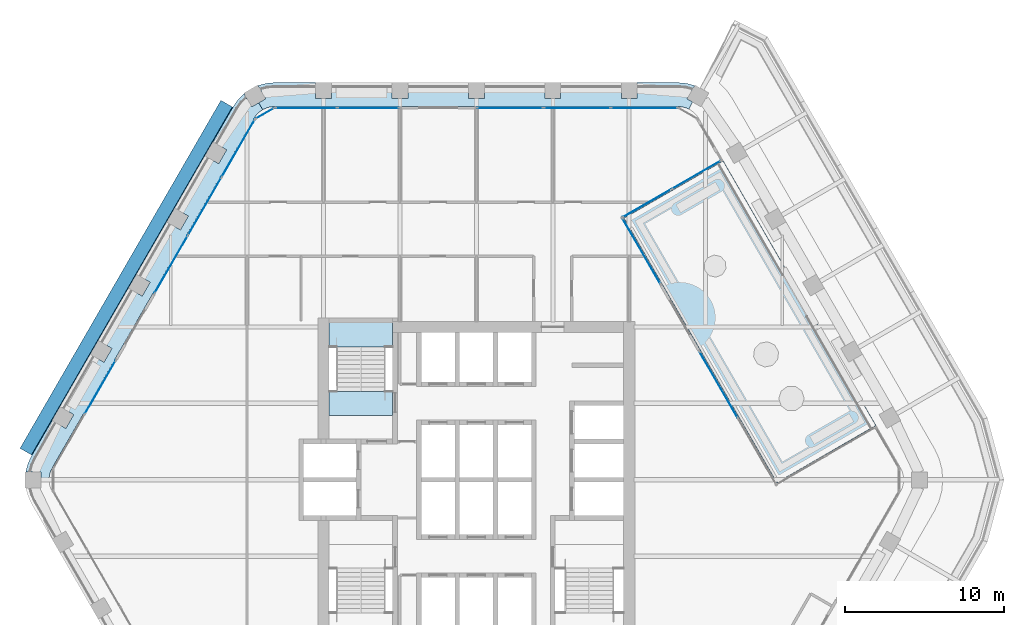
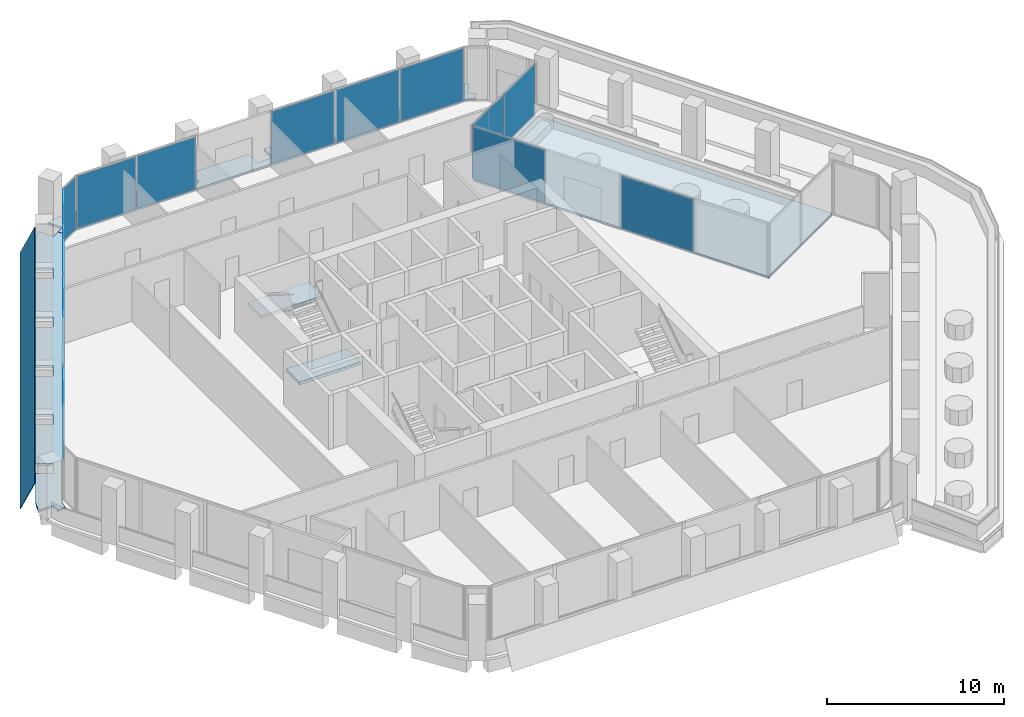
# One storey, part 9 of 17: 15 plates, 5 slabs, 9 elements without a shape of their own.
"""IFC4 building model written with IfcOpenShell, lengths in metres."""

import ifcopenshell
import ifcopenshell.guid

model = None  # the IFC model being written
_history = None  # IfcOwnerHistory: only IFC2X3 demands one
_inside = {}  # id of a spatial element -> (the spatial element, [elements in it])
_under = {}  # id of a project, library or spatial element -> (it, [spatial elements below it])
_declared = {}  # id of a project -> (the project, [libraries it declares])
_typed = {}  # id of a type object -> (the type object, [elements of that type])
_made_of = {}  # id of a material, layer set ... -> (it, [elements and type objects made of it])


def new_model(schema):
    """Start an empty IFC model of exactly this schema.

    Asked for "IFC4X3", IfcOpenShell would pick the latest addendum, in which some entities
    have other attributes; the version numbers below select the first issue.
    IFC2X3 requires an IfcOwnerHistory on every rooted entity: one is made here for all.
    """
    global model, _history
    if schema == "IFC4X3":
        model = ifcopenshell.file(schema_version=(4, 3, 0, 0))
    else:
        model = ifcopenshell.file(schema=schema)
    _inside.clear()
    _under.clear()
    _declared.clear()
    _typed.clear()
    _made_of.clear()
    _history = None
    if model.schema == "IFC2X3":
        org = make("IfcOrganization", Name="unknown")
        user = make(
            "IfcPersonAndOrganization",
            ThePerson=make("IfcPerson", FamilyName="unknown"),
            TheOrganization=org,
        )
        app = make(
            "IfcApplication",
            ApplicationDeveloper=org,
            Version="unknown",
            ApplicationFullName="unknown",
            ApplicationIdentifier="unknown",
        )
        _history = make(
            "IfcOwnerHistory",
            OwningUser=user,
            OwningApplication=app,
            ChangeAction="ADDED",
            CreationDate=0,
        )
    return model


def make(cls, **values):
    """One entity of the class cls with the attributes given. An attribute that is None is left unset."""
    return model.create_entity(
        cls, **{name: value for name, value in values.items() if value is not None}
    )


def rooted(cls, **values):
    """An entity with a GlobalId (a new one), such as an element, a storey or a relation."""
    return make(cls, GlobalId=ifcopenshell.guid.new(), OwnerHistory=_history, **values)


def si_unit(unit_type, name, prefix=None):
    """IfcSIUnit, for example si_unit("LENGTHUNIT", "METRE", prefix="MILLI")."""
    return make("IfcSIUnit", UnitType=unit_type, Prefix=prefix, Name=name)


def assignment(units):
    """IfcUnitAssignment: the units of a project."""
    return None if units is None else make("IfcUnitAssignment", Units=units)


def point(xyz):
    """IfcCartesianPoint."""
    return None if xyz is None else make("IfcCartesianPoint", Coordinates=xyz)


def direction(xyz):
    """IfcDirection."""
    return None if xyz is None else make("IfcDirection", DirectionRatios=xyz)


def frame(location, z_axis=None, x_axis=None):
    """IfcAxis2Placement3D, a coordinate frame: its origin and axes. An axis left out is left unset."""
    return make(
        "IfcAxis2Placement3D",
        Location=point(location),
        Axis=direction(z_axis),
        RefDirection=direction(x_axis),
    )


def frame_2d(location, x_axis=None):
    """IfcAxis2Placement2D, a coordinate frame in the plane: its origin and x axis."""
    return make(
        "IfcAxis2Placement2D", Location=point(location), RefDirection=direction(x_axis)
    )


def origin():
    """The frame at (0, 0, 0) with its axes left unset."""
    return frame((0.0, 0.0, 0.0))


def origin_2d():
    """The frame at (0, 0) in the plane with its x axis left unset."""
    return frame_2d((0.0, 0.0))


def place(relative_to, where):
    """IfcLocalPlacement: puts the frame where relative to a parent placement (None: the world)."""
    return make(
        "IfcLocalPlacement", PlacementRelTo=relative_to, RelativePlacement=where
    )


def context(
    kind, dimensions, precision=None, world=None, true_north=None, identifier=None
):
    """IfcGeometricRepresentationContext, for example the 3D "Model" context."""
    return make(
        "IfcGeometricRepresentationContext",
        ContextIdentifier=identifier,
        ContextType=kind,
        CoordinateSpaceDimension=dimensions,
        Precision=precision,
        WorldCoordinateSystem=world,
        TrueNorth=true_north,
    )


def subcontext(parent, identifier, kind, view, scale=None):
    """IfcGeometricRepresentationSubContext, for example "Body" below "Model"."""
    return make(
        "IfcGeometricRepresentationSubContext",
        ContextIdentifier=identifier,
        ContextType=kind,
        ParentContext=parent,
        TargetScale=scale,
        TargetView=view,
    )


def project(units=None, contexts=None):
    """IfcProject with its units and contexts."""
    return rooted(
        "IfcProject",
        Name="project",
        RepresentationContexts=contexts,
        UnitsInContext=assignment(units),
    )


def spatial(cls, under=None, at=None, **own):
    """A site, building, storey or space (cls), placed at a placement, below another one or the project."""
    s = rooted(cls, ObjectPlacement=at, **own)
    if under is not None:
        _under.setdefault(under.id(), (under, []))[1].append(s)
    return s


def polyline(points):
    """IfcPolyline through the points."""
    return make("IfcPolyline", Points=[point(p) for p in points])


def profile(cls, at=None, kind="AREA", **sizes):
    """A parametric profile (cls). Its sizes go by their IFC names, for example OverallWidth=200.0."""
    return make(cls, ProfileType=kind, Position=at, **sizes)


def rectangle(**sizes):
    """IfcRectangleProfileDef."""
    return profile("IfcRectangleProfileDef", **sizes)


def outline(outer, holes=None, kind="AREA"):
    """IfcArbitraryClosedProfileDef: a profile drawn as a closed curve; with holes, ...WithVoids."""
    if holes is None:
        return make("IfcArbitraryClosedProfileDef", ProfileType=kind, OuterCurve=outer)
    return make(
        "IfcArbitraryProfileDefWithVoids",
        ProfileType=kind,
        OuterCurve=outer,
        InnerCurves=holes,
    )


def extrude(swept, where, along, depth):
    """IfcExtrudedAreaSolid: the profile swept, set in the frame where, extruded along a direction by depth."""
    return make(
        "IfcExtrudedAreaSolid",
        SweptArea=swept,
        Position=where,
        ExtrudedDirection=direction(along),
        Depth=depth,
    )


def shape(context_of_items, identifier, shape_type, items):
    """IfcShapeRepresentation: the items that make up one representation, for example the "Body"."""
    return make(
        "IfcShapeRepresentation",
        ContextOfItems=context_of_items,
        RepresentationIdentifier=identifier,
        RepresentationType=shape_type,
        Items=items,
    )


def material(Name=None, Category=None):
    """IfcMaterial."""
    return make("IfcMaterial", Name=Name, Category=Category)


def layer(
    of_material, thickness, ventilated=None, Name=None, Category=None, Priority=None
):
    """IfcMaterialLayer: one layer of a wall or slab, of a material (None: an air gap)."""
    return make(
        "IfcMaterialLayer",
        Material=of_material,
        LayerThickness=thickness,
        IsVentilated=ventilated,
        Name=Name,
        Category=Category,
        Priority=Priority,
    )


def layer_set(layers, Name=None):
    """IfcMaterialLayerSet."""
    return make("IfcMaterialLayerSet", MaterialLayers=layers, LayerSetName=Name)


def made_of(thing, what):
    """Note that an element or type object is made of a material, layer set ...; save() writes the relation."""
    if what is not None:
        _made_of.setdefault(what.id(), (what, []))[1].append(thing)
    return thing


def type_object(cls, material=None, **own):
    """A type object (cls), such as IfcWallType, which elements share."""
    return made_of(rooted(cls, **own), material)


def element(
    cls,
    number,
    at=None,
    inside=None,
    cuts=None,
    type_object=None,
    material=None,
    context=None,
    identifier="Body",
    shape_type=None,
    held_by="IfcProductDefinitionShape",
    body=None,
    shapes=None,
    **own,
):
    """One element of the class cls, such as IfcWall. Its Tag is "e" and its number.

    at: its placement. inside: the storey or other place that contains it. cuts: it is an
    opening in that element (IfcRelVoidsElement). A single representation is given by context,
    identifier, shape_type and body (its items); several are given by shapes. held_by: the class
    of the entity that holds the representations. save() writes the other relations.
    """
    e = rooted(cls, Tag="e%d" % number, ObjectPlacement=at, **own)
    if body is not None:
        shapes = [shape(context, identifier, shape_type, body)]
    if shapes is not None:
        e.Representation = make(held_by, Representations=shapes)
    if inside is not None:
        _inside.setdefault(inside.id(), (inside, []))[1].append(e)
    if cuts is not None:
        rooted(
            "IfcRelVoidsElement", RelatingBuildingElement=cuts, RelatedOpeningElement=e
        )
    if type_object is not None:
        _typed.setdefault(type_object.id(), (type_object, []))[1].append(e)
    return made_of(e, material)


def aggregate(whole, parts):
    """IfcRelAggregates: a whole, such as a stair, and the parts it consists of."""
    return rooted("IfcRelAggregates", RelatingObject=whole, RelatedObjects=parts)


def save(model, path):
    """Write the relations noted so far, then the file.

    IfcRelAggregates (storeys below a building ...), IfcRelContainedInSpatialStructure (elements
    in a storey), IfcRelDefinesByType, IfcRelAssociatesMaterial and IfcRelDeclares: one each for
    every whole, place, type object, material and project.
    """
    for whole, parts in _under.values():
        aggregate(whole, parts)
    for where, things in _inside.values():
        rooted(
            "IfcRelContainedInSpatialStructure",
            RelatedElements=things,
            RelatingStructure=where,
        )
    for kind, things in _typed.values():
        rooted("IfcRelDefinesByType", RelatedObjects=things, RelatingType=kind)
    for what, things in _made_of.values():
        rooted("IfcRelAssociatesMaterial", RelatedObjects=things, RelatingMaterial=what)
    for by, libraries in _declared.values():
        rooted("IfcRelDeclares", RelatingContext=by, RelatedDefinitions=libraries)
    model.write(path)


model = new_model("IFC4")

# Units and contexts
model_context = context("Model", 3, precision=1e-05, world=origin(), true_north=direction((0.0, 1.0)))
body_context = subcontext(model_context, "Body", "Model", "MODEL_VIEW")
ifc_project = project(units=[si_unit("LENGTHUNIT", "METRE"), si_unit("AREAUNIT", "SQUARE_METRE"), si_unit("VOLUMEUNIT", "CUBIC_METRE"), si_unit("PLANEANGLEUNIT", "RADIAN"), si_unit("MASSUNIT", "GRAM", prefix="KILO")], contexts=[model_context])

# Site, building, storey
site_placement = place(None, origin())
site = spatial("IfcSite", under=ifc_project, at=site_placement, CompositionType="ELEMENT")
building_placement = place(site_placement, origin())
building = spatial("IfcBuilding", under=site, at=building_placement, Name="Kolab Exchange Tower", CompositionType="ELEMENT")
storey_placement = place(building_placement, frame((0.0, 0.0, 181.699951171875)))
storey = spatial("IfcBuildingStorey", under=building, at=storey_placement, Name="L38", CompositionType="ELEMENT", Elevation=181.699951171875)

# Slabs
ifc_material_1 = material(Name="Concrete C35/45", Category="concrete")
ifc_layer_1 = layer(ifc_material_1, 0.14990234375)
ifc_layer_set_1 = layer_set([ifc_layer_1], Name="Concrete C35/45")
slab_type_1 = type_object("IfcSlabType", Name="LOGGIA SLAB 150", PredefinedType="FLOOR", material=ifc_layer_set_1)
slab_1_placement = place(storey_placement, frame((0.0, 0.0, -0.14990234375)))
element("IfcSlab", 1, at=slab_1_placement, inside=storey, type_object=slab_type_1, Name="slab/L38/loggia/0-0", PredefinedType="FLOOR", context=body_context, shape_type="SweptSolid", body=[
    extrude(outline(polyline([(13.180908203125, 23.35107421875), (13.34912109375, 23.272705078125), (13.580322265625, 23.72412109375), (13.23486328125, 23.923583984375), (13.713134765625, 24.751708984375), (13.694091796875, 24.760498046875), (13.18896484375, 24.89599609375), (12.66796875, 24.941650390625), (10.10009765625, 24.941650390625), (10.10009765625, 23.941650390625), (9.10009765625, 23.941650390625), (9.10009765625, 24.941650390625), (5.300048828125, 24.941650390625), (5.300048828125, 23.941650390625), (4.300048828125, 23.941650390625), (4.300048828125, 24.941650390625), (0.5, 24.941650390625), (0.5, 23.941650390625), (-0.5, 23.941650390625), (-0.5, 24.941650390625), (-4.300048828125, 24.941650390625), (-4.300048828125, 23.941650390625), (-5.300048828125, 23.941650390625), (-5.300048828125, 24.941650390625), (-9.10009765625, 24.941650390625), (-9.10009765625, 23.941650390625), (-10.10009765625, 23.941650390625), (-10.10009765625, 24.941650390625), (-12.66796875, 24.941650390625), (-13.18896484375, 24.89599609375), (-13.694091796875, 24.760498046875), (-13.713134765625, 24.751708984375), (-13.23486328125, 23.923583984375), (-13.66796875, 23.673583984375), (-13.41796875, 23.240478515625), (-13.180908203125, 23.35107421875), (-12.928466796875, 23.418701171875), (-12.66796875, 23.441650390625), (12.66796875, 23.441650390625), (12.928466796875, 23.418701171875), (13.180908203125, 23.35107421875)])), origin(), (0.0, 0.0, 1.0), 0.14990234375),
])
slab_2_placement = place(storey_placement, frame((0.0, 0.0, -0.14990234375)))
element("IfcSlab", 2, at=slab_2_placement, inside=storey, type_object=slab_type_1, Name="slab/L38/loggia/5-0", PredefinedType="FLOOR", context=body_context, shape_type="SweptSolid", body=[
    extrude(outline(polyline([(-13.632080078125, 23.090576171875), (-13.41796875, 23.240478515625), (-13.66796875, 23.673583984375), (-14.10107421875, 23.423583984375), (-14.5791015625, 24.251708984375), (-14.59619140625, 24.23974609375), (-14.966064453125, 23.869873046875), (-15.26611328125, 23.441650390625), (-16.550048828125, 21.217529296875), (-15.68408203125, 20.717529296875), (-16.18408203125, 19.8515625), (-17.050048828125, 20.3515625), (-18.949951171875, 17.060791015625), (-18.083984375, 16.560791015625), (-18.583984375, 15.694580078125), (-19.449951171875, 16.194580078125), (-21.35009765625, 12.90380859375), (-20.48388671875, 12.40380859375), (-20.98388671875, 11.537841796875), (-21.85009765625, 12.037841796875), (-23.75, 8.746826171875), (-22.884033203125, 8.246826171875), (-23.384033203125, 7.380859375), (-24.25, 7.880859375), (-26.14990234375, 4.58984375), (-25.283935546875, 4.08984375), (-25.783935546875, 3.223876953125), (-26.64990234375, 3.723876953125), (-27.93408203125, 1.5), (-28.155029296875, 1.026123046875), (-28.290283203125, 0.52099609375), (-28.292236328125, 0.5), (-27.3359375, 0.5), (-27.3359375, 0.0), (-26.8359375, 0.0), (-26.81298828125, 0.260498046875), (-26.745361328125, 0.512939453125), (-26.635009765625, 0.75), (-13.967041015625, 22.691650390625), (-13.81689453125, 22.90576171875), (-13.632080078125, 23.090576171875)])), origin(), (0.0, 0.0, 1.0), 0.14990234375),
])

# Plate
ifc_material_2 = material(Name="Laminated glass, clear", Category="glass")
ifc_layer_2 = layer(ifc_material_2, 0.0400390625)
ifc_layer_set_2 = layer_set([ifc_layer_2], Name="Laminated glass, clear")
plate_type_1 = type_object("IfcPlateType", Name="OUTER SKIN LAMINATED GLASS SHEET 40", PredefinedType="SHEET", material=ifc_layer_set_2)
plate_1_placement = place(storey_placement, frame((-28.658203125, 1.975830078125, -0.68310546875), z_axis=(-0.784898656704, 0.453161865271, 0.422585402693), x_axis=(0.499999968995, 0.866025421685, -9.26315e-07)))
element("IfcPlate", 3, at=plate_1_placement, inside=storey, type_object=plate_type_1, Name="Outer skin", PredefinedType="SHEET", context=body_context, shape_type="SweptSolid", body=[
    extrude(outline(polyline([(0.0, 0.0), (25.23592824607872, 0.0), (25.23580178082614, -1.96134386267648), (8.496673513263058e-05, -1.9612922777250188), (0.0, 0.0)])), origin(), (0.0, 0.0, -1.0), 0.0400390625),
])

# Stair, slabs
ifc_material_3 = material(Name="Concrete C50/60", Category="concrete")
stair_type = type_object("IfcStairType", Name="STAIR ST1 RISER 177.3", PredefinedType="HALF_TURN_STAIR", material=ifc_material_3)
stair_placement = place(storey_placement, origin())
stair = element("IfcStair", 4, at=stair_placement, inside=storey, type_object=stair_type, Name="Stair 1", PredefinedType="HALF_TURN_STAIR")
ifc_layer_3 = layer(ifc_material_3, 0.199951171875)
ifc_layer_set_3 = layer_set([ifc_layer_3], Name="Concrete C50/60")
slab_type_2 = type_object("IfcSlabType", Name="STAIR LANDING 200", PredefinedType="LANDING", material=ifc_layer_set_3)
slab_3_placement = place(storey_placement, frame((0.0, 0.0, -0.199951171875)))
slab_3 = element("IfcSlab", 5, at=slab_3_placement, type_object=slab_type_2, Name="ST1 landing 1", PredefinedType="LANDING", context=body_context, shape_type="SweptSolid", body=[
    extrude(outline(polyline([(-9.25, 4.050048828125), (-5.25, 4.050048828125), (-5.25, 5.550048828125), (-9.25, 5.550048828125), (-9.25, 4.050048828125)])), origin(), (0.0, 0.0, 1.0), 0.199951171875),
])
slab_4_placement = place(storey_placement, frame((0.0, 0.0, 1.75)))
slab_4 = element("IfcSlab", 6, at=slab_4_placement, type_object=slab_type_2, Name="ST1 landing 2", PredefinedType="LANDING", context=body_context, shape_type="SweptSolid", body=[
    extrude(outline(polyline([(-9.25, 8.35009765625), (-5.25, 8.35009765625), (-5.25, 9.909912109375), (-9.25, 9.909912109375), (-9.25, 8.35009765625)])), origin(), (0.0, 0.0, 1.0), 0.199951171875),
])
aggregate(stair, [slab_3, slab_4])

# Slab
ifc_layer_4 = layer(ifc_material_1, 0.14990234375)
ifc_layer_set_4 = layer_set([ifc_layer_4], Name="Concrete C35/45")
slab_type_3 = type_object("IfcSlabType", Name="TERRACE SLAB 150 PLANTED", PredefinedType="ROOF", material=ifc_layer_set_4)
slab_5_placement = place(storey_placement, frame((0.0, 0.0, -0.14990234375)))
element("IfcSlab", 7, at=slab_5_placement, inside=storey, type_object=slab_type_3, Name="Roof terrace", PredefinedType="ROOF", context=body_context, shape_type="SweptSolid", body=[
    extrude(outline(polyline([(15.5009765625, 20.03466796875), (9.265625, 16.4345703125), (18.865478515625, -0.193115234375), (25.10107421875, 3.406982421875), (15.5009765625, 20.03466796875)])), origin(), (0.0, 0.0, 1.0), 0.14990234375),
])

# Curtain wall, plates
ifc_material_4 = material(Name="Aluminium EN AW-6063 T6", Category="aluminium")
curtain_wall_type = type_object("IfcCurtainWallType", Name="UNITISED UPPER MID ZONE CURTAIN WALL", PredefinedType="NOTDEFINED", material=ifc_material_4)
curtain_wall_1_placement = place(storey_placement, origin())
curtain_wall_1 = element("IfcCurtainWall", 8, at=curtain_wall_1_placement, inside=storey, type_object=curtain_wall_type, Name="cw/L38/F1-1", PredefinedType="NOTDEFINED")
ifc_material_5 = material(Name="Clear insulated glazing unit", Category="glass")
ifc_layer_5 = layer(ifc_material_5, 0.028076171875)
ifc_layer_set_5 = layer_set([ifc_layer_5], Name="Clear insulated glazing unit")
plate_type_2 = type_object("IfcPlateType", Name="UNITISED UPPER MID ZONE GLASS PANEL 28", PredefinedType="CURTAIN_PANEL", material=ifc_layer_set_5)
plate_2_placement = place(storey_placement, frame((-10.68603515625, 23.361572265625, 0.06005859375), z_axis=(0.0, 0.0, 1.0), x_axis=(1.0, 0.0, 0.0)))
plate_2 = element("IfcPlate", 9, at=plate_2_placement, type_object=plate_type_2, Name="CW3 panel 1.1", PredefinedType="CURTAIN_PANEL", context=body_context, shape_type="SweptSolid", body=[
    extrude(rectangle(XDim=3.843994140625, YDim=0.028076171875, at=origin_2d()), origin(), (0.0, 0.0, 1.0), 3.6298828125),
])
plate_3_placement = place(storey_placement, frame((-6.781982421875, 23.361572265625, 0.06005859375), z_axis=(0.0, 0.0, 1.0), x_axis=(1.0, 0.0, 0.0)))
plate_3 = element("IfcPlate", 10, at=plate_3_placement, type_object=plate_type_2, Name="CW3 panel 2.1", PredefinedType="CURTAIN_PANEL", context=body_context, shape_type="SweptSolid", body=[
    extrude(rectangle(XDim=3.843994140625, YDim=0.028076171875, at=origin_2d()), origin(), (0.0, 0.0, 1.0), 3.6298828125),
])
aggregate(curtain_wall_1, [plate_2, plate_3])

curtain_wall_2_placement = place(storey_placement, origin())
curtain_wall_2 = element("IfcCurtainWall", 11, at=curtain_wall_2_placement, inside=storey, type_object=curtain_wall_type, Name="cw/L38/F1-2", PredefinedType="NOTDEFINED")
plate_4_placement = place(storey_placement, frame((2.126220703125, 23.361572265625, 0.06005859375), z_axis=(0.0, 0.0, 1.0), x_axis=(1.0, 0.0, 0.0)))
plate_4 = element("IfcPlate", 12, at=plate_4_placement, type_object=plate_type_2, Name="CW3 panel 1.1", PredefinedType="CURTAIN_PANEL", context=body_context, shape_type="SweptSolid", body=[
    extrude(rectangle(XDim=4.132568359375, YDim=0.028076171875, at=origin_2d()), origin(), (0.0, 0.0, 1.0), 3.6298828125),
])
plate_5_placement = place(storey_placement, frame((6.333984375, 23.361572265625, 0.06005859375), z_axis=(0.0, 0.0, 1.0), x_axis=(1.0, 0.0, 0.0)))
plate_5 = element("IfcPlate", 13, at=plate_5_placement, type_object=plate_type_2, Name="CW3 panel 2.1", PredefinedType="CURTAIN_PANEL", context=body_context, shape_type="SweptSolid", body=[
    extrude(rectangle(XDim=4.16259765625, YDim=0.028076171875, at=origin_2d()), origin(), (0.0, 0.0, 1.0), 3.6298828125),
])
plate_6_placement = place(storey_placement, frame((10.54150390625, 23.361572265625, 0.06005859375), z_axis=(0.0, 0.0, 1.0), x_axis=(1.0, 0.0, 0.0)))
plate_6 = element("IfcPlate", 14, at=plate_6_placement, type_object=plate_type_2, Name="CW3 panel 3.1", PredefinedType="CURTAIN_PANEL", context=body_context, shape_type="SweptSolid", body=[
    extrude(rectangle(XDim=4.132568359375, YDim=0.028076171875, at=origin_2d()), origin(), (0.0, 0.0, 1.0), 3.6298828125),
])
aggregate(curtain_wall_2, [plate_4, plate_5, plate_6])

curtain_wall_3_placement = place(storey_placement, origin())
curtain_wall_3 = element("IfcCurtainWall", 15, at=curtain_wall_3_placement, inside=storey, type_object=curtain_wall_type, Name="cw/L38/F2-rl-1", PredefinedType="NOTDEFINED")
plate_7_placement = place(storey_placement, frame((13.81982421875, 19.156494140625, 0.06005859375), z_axis=(0.0, 0.0, 1.0), x_axis=(-0.866025407005, -0.499999994423, 0.0)))
plate_7 = element("IfcPlate", 16, at=plate_7_placement, type_object=plate_type_2, Name="CW3 panel 1.1", PredefinedType="CURTAIN_PANEL", context=body_context, shape_type="SweptSolid", body=[
    extrude(rectangle(XDim=3.510009765625, YDim=0.028076171875, at=origin_2d()), origin(), (0.0, 0.0, 1.0), 3.6298828125),
])
plate_8_placement = place(storey_placement, frame((10.72802734375, 17.371337890625, 0.06005859375), z_axis=(0.0, 0.0, 1.0), x_axis=(-0.866025407005, -0.499999994423, 0.0)))
plate_8 = element("IfcPlate", 17, at=plate_8_placement, type_object=plate_type_2, Name="CW3 panel 2.1", PredefinedType="CURTAIN_PANEL", context=body_context, shape_type="SweptSolid", body=[
    extrude(rectangle(XDim=3.510009765625, YDim=0.028076171875, at=origin_2d()), origin(), (0.0, 0.0, 1.0), 3.6298828125),
])
aggregate(curtain_wall_3, [plate_7, plate_8])

# Curtain wall, plate
curtain_wall_4_placement = place(storey_placement, origin())
curtain_wall_4 = element("IfcCurtainWall", 18, at=curtain_wall_4_placement, inside=storey, type_object=curtain_wall_type, Name="cw/L38/F2-back-1", PredefinedType="NOTDEFINED")
plate_9_placement = place(storey_placement, frame((10.3662109375, 14.3681640625, 0.06005859375), z_axis=(0.0, 0.0, 1.0), x_axis=(0.499999995919, -0.866025406141, 0.0)))
plate_9 = element("IfcPlate", 19, at=plate_9_placement, type_object=plate_type_2, Name="CW3 panel 1.1", PredefinedType="CURTAIN_PANEL", context=body_context, shape_type="SweptSolid", body=[
    extrude(rectangle(XDim=4.719970703125, YDim=0.028076171875, at=origin_2d()), origin(), (0.0, 0.0, 1.0), 3.6298828125),
])
aggregate(curtain_wall_4, [plate_9])

curtain_wall_5_placement = place(storey_placement, origin())
curtain_wall_5 = element("IfcCurtainWall", 20, at=curtain_wall_5_placement, inside=storey, type_object=curtain_wall_type, Name="cw/L38/F2-back-2", PredefinedType="NOTDEFINED")
plate_10_placement = place(storey_placement, frame((15.2138671875, 5.971923828125, 0.06005859375), z_axis=(0.0, 0.0, 1.0), x_axis=(0.499999995919, -0.866025406141, 0.0)))
plate_10 = element("IfcPlate", 21, at=plate_10_placement, type_object=plate_type_2, Name="CW3 panel 1.1", PredefinedType="CURTAIN_PANEL", context=body_context, shape_type="SweptSolid", body=[
    extrude(rectangle(XDim=4.75, YDim=0.028076171875, at=origin_2d()), origin(), (0.0, 0.0, 1.0), 3.6298828125),
])
aggregate(curtain_wall_5, [plate_10])

curtain_wall_6_placement = place(storey_placement, origin())
curtain_wall_6 = element("IfcCurtainWall", 22, at=curtain_wall_6_placement, inside=storey, type_object=curtain_wall_type, Name="cw/L38/F6-1", PredefinedType="NOTDEFINED")
plate_11_placement = place(storey_placement, frame((-23.62255859375, 5.807373046875, 0.06005859375), z_axis=(0.0, 0.0, 1.0), x_axis=(0.499999936366, 0.866025440524, 0.0)))
plate_11 = element("IfcPlate", 23, at=plate_11_placement, type_object=plate_type_2, Name="CW3 panel 2.1", PredefinedType="CURTAIN_PANEL", context=body_context, shape_type="SweptSolid", body=[
    extrude(rectangle(XDim=3.843994140625, YDim=0.028076171875, at=origin_2d()), origin(), (0.0, 0.0, 1.0), 3.6298828125),
])
aggregate(curtain_wall_6, [plate_11])

# Curtain wall, plates
curtain_wall_7_placement = place(storey_placement, origin())
curtain_wall_7 = element("IfcCurtainWall", 24, at=curtain_wall_7_placement, inside=storey, type_object=curtain_wall_type, Name="cw/L38/F6-2", PredefinedType="NOTDEFINED")
plate_12_placement = place(storey_placement, frame((-19.16845703125, 13.522216796875, 0.06005859375), z_axis=(0.0, 0.0, 1.0), x_axis=(0.500000017564, 0.866025393644, 0.0)))
plate_12 = element("IfcPlate", 25, at=plate_12_placement, type_object=plate_type_2, Name="CW3 panel 1.1", PredefinedType="CURTAIN_PANEL", context=body_context, shape_type="SweptSolid", body=[
    extrude(rectangle(XDim=4.132568359375, YDim=0.028076171875, at=origin_2d()), origin(), (0.0, 0.0, 1.0), 3.6298828125),
])
plate_13_placement = place(storey_placement, frame((-17.064697265625, 17.166259765625, 0.06005859375), z_axis=(0.0, 0.0, 1.0), x_axis=(0.500000017564, 0.866025393644, 0.0)))
plate_13 = element("IfcPlate", 26, at=plate_13_placement, type_object=plate_type_2, Name="CW3 panel 2.1", PredefinedType="CURTAIN_PANEL", context=body_context, shape_type="SweptSolid", body=[
    extrude(rectangle(XDim=4.16259765625, YDim=0.028076171875, at=origin_2d()), origin(), (0.0, 0.0, 1.0), 3.6298828125),
])
plate_14_placement = place(storey_placement, frame((-14.9609375, 20.81005859375, 0.06005859375), z_axis=(0.0, 0.0, 1.0), x_axis=(0.500000017564, 0.866025393644, 0.0)))
plate_14 = element("IfcPlate", 27, at=plate_14_placement, type_object=plate_type_2, Name="CW3 panel 3.1", PredefinedType="CURTAIN_PANEL", context=body_context, shape_type="SweptSolid", body=[
    extrude(rectangle(XDim=4.132568359375, YDim=0.028076171875, at=origin_2d()), origin(), (0.0, 0.0, 1.0), 3.6298828125),
])
aggregate(curtain_wall_7, [plate_12, plate_13, plate_14])

# Curtain wall, plate
curtain_wall_8_placement = place(storey_placement, origin())
curtain_wall_8 = element("IfcCurtainWall", 28, at=curtain_wall_8_placement, inside=storey, type_object=curtain_wall_type, Name="cw/L38/F6F1-corner", PredefinedType="NOTDEFINED")
plate_15_placement = place(storey_placement, frame((-13.28271484375, 23.006591796875, 0.06005859375), z_axis=(0.0, 0.0, 1.0), x_axis=(0.866025390869, 0.50000002237, 0.0)))
plate_15 = element("IfcPlate", 29, at=plate_15_placement, type_object=plate_type_2, Name="CW3 panel 1.1", PredefinedType="CURTAIN_PANEL", context=body_context, shape_type="SweptSolid", body=[
    extrude(rectangle(XDim=1.300048828125, YDim=0.028076171875, at=origin_2d()), origin(), (0.0, 0.0, 1.0), 3.6298828125),
])
aggregate(curtain_wall_8, [plate_15])

save(model, "model.ifc")
